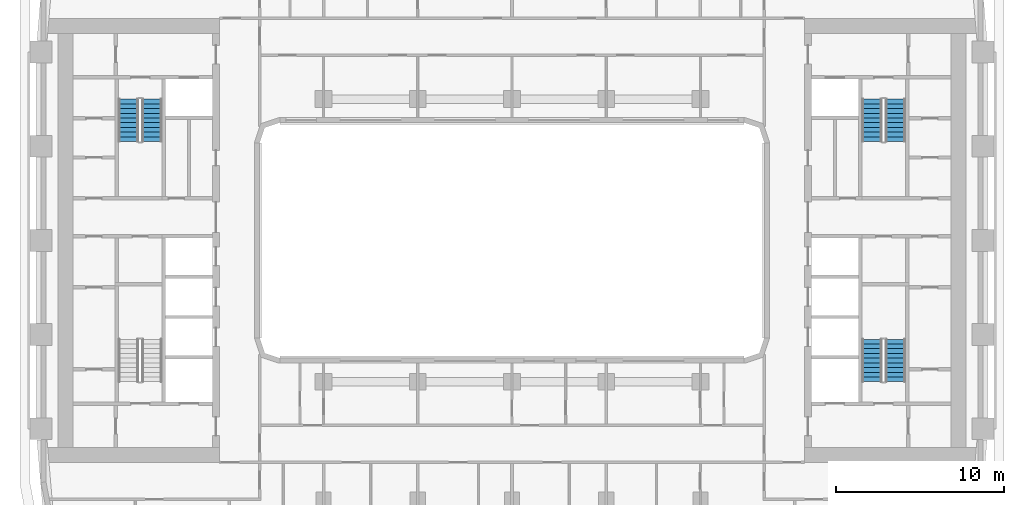
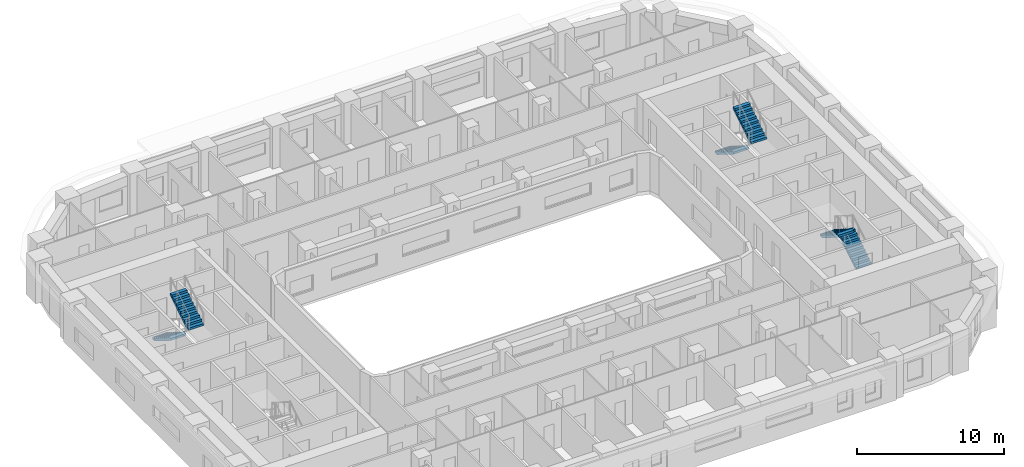
# One storey, part 11 of 22: 6 stair flights, 3 elements without a shape of their own.
"""IFC4 building model written with IfcOpenShell, lengths in metres."""

import ifcopenshell
import ifcopenshell.guid

model = None  # the IFC model being written
_history = None  # IfcOwnerHistory: only IFC2X3 demands one
_inside = {}  # id of a spatial element -> (the spatial element, [elements in it])
_under = {}  # id of a project, library or spatial element -> (it, [spatial elements below it])
_declared = {}  # id of a project -> (the project, [libraries it declares])
_typed = {}  # id of a type object -> (the type object, [elements of that type])
_made_of = {}  # id of a material, layer set ... -> (it, [elements and type objects made of it])


def new_model(schema):
    """Start an empty IFC model of exactly this schema.

    Asked for "IFC4X3", IfcOpenShell would pick the latest addendum, in which some entities
    have other attributes; the version numbers below select the first issue.
    IFC2X3 requires an IfcOwnerHistory on every rooted entity: one is made here for all.
    """
    global model, _history
    if schema == "IFC4X3":
        model = ifcopenshell.file(schema_version=(4, 3, 0, 0))
    else:
        model = ifcopenshell.file(schema=schema)
    _inside.clear()
    _under.clear()
    _declared.clear()
    _typed.clear()
    _made_of.clear()
    _history = None
    if model.schema == "IFC2X3":
        org = make("IfcOrganization", Name="unknown")
        user = make(
            "IfcPersonAndOrganization",
            ThePerson=make("IfcPerson", FamilyName="unknown"),
            TheOrganization=org,
        )
        app = make(
            "IfcApplication",
            ApplicationDeveloper=org,
            Version="unknown",
            ApplicationFullName="unknown",
            ApplicationIdentifier="unknown",
        )
        _history = make(
            "IfcOwnerHistory",
            OwningUser=user,
            OwningApplication=app,
            ChangeAction="ADDED",
            CreationDate=0,
        )
    return model


def make(cls, **values):
    """One entity of the class cls with the attributes given. An attribute that is None is left unset."""
    return model.create_entity(
        cls, **{name: value for name, value in values.items() if value is not None}
    )


def rooted(cls, **values):
    """An entity with a GlobalId (a new one), such as an element, a storey or a relation."""
    return make(cls, GlobalId=ifcopenshell.guid.new(), OwnerHistory=_history, **values)


def si_unit(unit_type, name, prefix=None):
    """IfcSIUnit, for example si_unit("LENGTHUNIT", "METRE", prefix="MILLI")."""
    return make("IfcSIUnit", UnitType=unit_type, Prefix=prefix, Name=name)


def assignment(units):
    """IfcUnitAssignment: the units of a project."""
    return None if units is None else make("IfcUnitAssignment", Units=units)


def point(xyz):
    """IfcCartesianPoint."""
    return None if xyz is None else make("IfcCartesianPoint", Coordinates=xyz)


def direction(xyz):
    """IfcDirection."""
    return None if xyz is None else make("IfcDirection", DirectionRatios=xyz)


def frame(location, z_axis=None, x_axis=None):
    """IfcAxis2Placement3D, a coordinate frame: its origin and axes. An axis left out is left unset."""
    return make(
        "IfcAxis2Placement3D",
        Location=point(location),
        Axis=direction(z_axis),
        RefDirection=direction(x_axis),
    )


def origin():
    """The frame at (0, 0, 0) with its axes left unset."""
    return frame((0.0, 0.0, 0.0))


def place(relative_to, where):
    """IfcLocalPlacement: puts the frame where relative to a parent placement (None: the world)."""
    return make(
        "IfcLocalPlacement", PlacementRelTo=relative_to, RelativePlacement=where
    )


def context(
    kind, dimensions, precision=None, world=None, true_north=None, identifier=None
):
    """IfcGeometricRepresentationContext, for example the 3D "Model" context."""
    return make(
        "IfcGeometricRepresentationContext",
        ContextIdentifier=identifier,
        ContextType=kind,
        CoordinateSpaceDimension=dimensions,
        Precision=precision,
        WorldCoordinateSystem=world,
        TrueNorth=true_north,
    )


def subcontext(parent, identifier, kind, view, scale=None):
    """IfcGeometricRepresentationSubContext, for example "Body" below "Model"."""
    return make(
        "IfcGeometricRepresentationSubContext",
        ContextIdentifier=identifier,
        ContextType=kind,
        ParentContext=parent,
        TargetScale=scale,
        TargetView=view,
    )


def project(units=None, contexts=None):
    """IfcProject with its units and contexts."""
    return rooted(
        "IfcProject",
        Name="project",
        RepresentationContexts=contexts,
        UnitsInContext=assignment(units),
    )


def spatial(cls, under=None, at=None, **own):
    """A site, building, storey or space (cls), placed at a placement, below another one or the project."""
    s = rooted(cls, ObjectPlacement=at, **own)
    if under is not None:
        _under.setdefault(under.id(), (under, []))[1].append(s)
    return s


def polyline(points):
    """IfcPolyline through the points."""
    return make("IfcPolyline", Points=[point(p) for p in points])


def outline(outer, holes=None, kind="AREA"):
    """IfcArbitraryClosedProfileDef: a profile drawn as a closed curve; with holes, ...WithVoids."""
    if holes is None:
        return make("IfcArbitraryClosedProfileDef", ProfileType=kind, OuterCurve=outer)
    return make(
        "IfcArbitraryProfileDefWithVoids",
        ProfileType=kind,
        OuterCurve=outer,
        InnerCurves=holes,
    )


def extrude(swept, where, along, depth):
    """IfcExtrudedAreaSolid: the profile swept, set in the frame where, extruded along a direction by depth."""
    return make(
        "IfcExtrudedAreaSolid",
        SweptArea=swept,
        Position=where,
        ExtrudedDirection=direction(along),
        Depth=depth,
    )


def shape(context_of_items, identifier, shape_type, items):
    """IfcShapeRepresentation: the items that make up one representation, for example the "Body"."""
    return make(
        "IfcShapeRepresentation",
        ContextOfItems=context_of_items,
        RepresentationIdentifier=identifier,
        RepresentationType=shape_type,
        Items=items,
    )


def material(Name=None, Category=None):
    """IfcMaterial."""
    return make("IfcMaterial", Name=Name, Category=Category)


def made_of(thing, what):
    """Note that an element or type object is made of a material, layer set ...; save() writes the relation."""
    if what is not None:
        _made_of.setdefault(what.id(), (what, []))[1].append(thing)
    return thing


def type_object(cls, material=None, **own):
    """A type object (cls), such as IfcWallType, which elements share."""
    return made_of(rooted(cls, **own), material)


def element(
    cls,
    number,
    at=None,
    inside=None,
    cuts=None,
    type_object=None,
    material=None,
    context=None,
    identifier="Body",
    shape_type=None,
    held_by="IfcProductDefinitionShape",
    body=None,
    shapes=None,
    **own,
):
    """One element of the class cls, such as IfcWall. Its Tag is "e" and its number.

    at: its placement. inside: the storey or other place that contains it. cuts: it is an
    opening in that element (IfcRelVoidsElement). A single representation is given by context,
    identifier, shape_type and body (its items); several are given by shapes. held_by: the class
    of the entity that holds the representations. save() writes the other relations.
    """
    e = rooted(cls, Tag="e%d" % number, ObjectPlacement=at, **own)
    if body is not None:
        shapes = [shape(context, identifier, shape_type, body)]
    if shapes is not None:
        e.Representation = make(held_by, Representations=shapes)
    if inside is not None:
        _inside.setdefault(inside.id(), (inside, []))[1].append(e)
    if cuts is not None:
        rooted(
            "IfcRelVoidsElement", RelatingBuildingElement=cuts, RelatedOpeningElement=e
        )
    if type_object is not None:
        _typed.setdefault(type_object.id(), (type_object, []))[1].append(e)
    return made_of(e, material)


def aggregate(whole, parts):
    """IfcRelAggregates: a whole, such as a stair, and the parts it consists of."""
    return rooted("IfcRelAggregates", RelatingObject=whole, RelatedObjects=parts)


def save(model, path):
    """Write the relations noted so far, then the file.

    IfcRelAggregates (storeys below a building ...), IfcRelContainedInSpatialStructure (elements
    in a storey), IfcRelDefinesByType, IfcRelAssociatesMaterial and IfcRelDeclares: one each for
    every whole, place, type object, material and project.
    """
    for whole, parts in _under.values():
        aggregate(whole, parts)
    for where, things in _inside.values():
        rooted(
            "IfcRelContainedInSpatialStructure",
            RelatedElements=things,
            RelatingStructure=where,
        )
    for kind, things in _typed.values():
        rooted("IfcRelDefinesByType", RelatedObjects=things, RelatingType=kind)
    for what, things in _made_of.values():
        rooted("IfcRelAssociatesMaterial", RelatedObjects=things, RelatingMaterial=what)
    for by, libraries in _declared.values():
        rooted("IfcRelDeclares", RelatingContext=by, RelatedDefinitions=libraries)
    model.write(path)


model = new_model("IFC4")

# Units and contexts
model_context = context("Model", 3, precision=1e-05, world=origin(), true_north=direction((0.0, 1.0)))
body_context = subcontext(model_context, "Body", "Model", "MODEL_VIEW")
ifc_project = project(units=[si_unit("LENGTHUNIT", "METRE"), si_unit("AREAUNIT", "SQUARE_METRE"), si_unit("VOLUMEUNIT", "CUBIC_METRE"), si_unit("PLANEANGLEUNIT", "RADIAN"), si_unit("MASSUNIT", "GRAM", prefix="KILO")], contexts=[model_context])

# Site, building, storey
site_placement = place(None, origin())
site = spatial("IfcSite", under=ifc_project, at=site_placement, CompositionType="ELEMENT")
building_placement = place(site_placement, origin())
building = spatial("IfcBuilding", under=site, at=building_placement, Name="Kiln Ring Residences", CompositionType="ELEMENT")
storey_placement = place(building_placement, frame((0.0, 0.0, 90.300048828125)))
storey = spatial("IfcBuildingStorey", under=building, at=storey_placement, Name="L22", CompositionType="ELEMENT", Elevation=90.300048828125)

# Stair, stair flights
ifc_material_1 = material(Name="Concrete C40/50", Category="concrete")
stair_type = type_object("IfcStairType", Name="CORE-STAIR", PredefinedType="HALF_TURN_STAIR", material=ifc_material_1)
placement = place(storey_placement, origin())
stair_1 = element("IfcStair", 1, at=placement, inside=storey, type_object=stair_type, Name="L22 stair W-STN", PredefinedType="HALF_TURN_STAIR")
ifc_material_2 = material(Name="Concrete C40/50", Category="concrete")
stair_flight_type = type_object("IfcStairFlightType", Name="CORE-STAIR-FLIGHT", PredefinedType="STRAIGHT", material=ifc_material_2)
stair_flight_1_placement = place(storey_placement, frame((-22.800048828125, 8.39990234375, 0.0), z_axis=(0.0, 0.0, 1.0), x_axis=(0.0, -1.0, 0.0)))
stair_flight_1 = element("IfcStairFlight", 2, at=stair_flight_1_placement, type_object=stair_flight_type, Name="W-STN flight 1", NumberOfRisers=10, NumberOfTreads=9, PredefinedType="STRAIGHT", RiserHeight=0.175, TreadLength=0.28, context=body_context, shape_type="SweptSolid", body=[
    extrude(outline(polyline([(0.0, 0.0), (0.0, 0.175048828125), (0.280029296875, 0.175048828125), (0.280029296875, 0.35009765625), (0.56005859375, 0.35009765625), (0.56005859375, 0.52490234375), (0.840087890625, 0.52490234375), (0.840087890625, 0.699951171875), (1.1201171875, 0.699951171875), (1.1201171875, 0.875), (1.39990234375, 0.875), (1.39990234375, 1.050048828125), (1.679931640625, 1.050048828125), (1.679931640625, 1.22509765625), (1.9599609375, 1.22509765625), (1.9599609375, 1.39990234375), (2.239990234375, 1.39990234375), (2.239990234375, 1.574951171875), (2.52001953125, 1.574951171875), (2.52001953125, 1.75), (2.52001953125, 1.398193359375), (0.28271484375, 0.0), (0.0, 0.0)])), frame((0.0, 0.60009765625, 0.0), z_axis=(0.0, -1.0, 0.0), x_axis=(1.0, 0.0, 0.0)), (0.0, 0.0, 1.0), 1.199951171875),
])
stair_flight_2_placement = place(storey_placement, frame((-21.39990234375, 5.8798828125, 1.75), z_axis=(0.0, 0.0, 1.0), x_axis=(0.0, 1.0, 0.0)))
stair_flight_2 = element("IfcStairFlight", 3, at=stair_flight_2_placement, type_object=stair_flight_type, Name="W-STN flight 2", NumberOfRisers=10, NumberOfTreads=9, PredefinedType="STRAIGHT", RiserHeight=0.175, TreadLength=0.28, context=body_context, shape_type="SweptSolid", body=[
    extrude(outline(polyline([(0.0, 0.0), (0.0, 0.175048828125), (0.280029296875, 0.175048828125), (0.280029296875, 0.35009765625), (0.56005859375, 0.35009765625), (0.56005859375, 0.52490234375), (0.840087890625, 0.52490234375), (0.840087890625, 0.699951171875), (1.1201171875, 0.699951171875), (1.1201171875, 0.875), (1.39990234375, 0.875), (1.39990234375, 1.050048828125), (1.679931640625, 1.050048828125), (1.679931640625, 1.22509765625), (1.9599609375, 1.22509765625), (1.9599609375, 1.39990234375), (2.239990234375, 1.39990234375), (2.239990234375, 1.574951171875), (2.52001953125, 1.574951171875), (2.52001953125, 1.75), (2.52001953125, 1.398193359375), (0.28271484375, 0.0), (0.0, 0.0)])), frame((0.0, 0.60009765625, 0.0), z_axis=(0.0, -1.0, 0.0), x_axis=(1.0, 0.0, 0.0)), (0.0, 0.0, 1.0), 1.199951171875),
])
aggregate(stair_1, [stair_flight_1, stair_flight_2])

stair_2 = element("IfcStair", 4, at=placement, inside=storey, type_object=stair_type, Name="L22 stair E-STN", PredefinedType="HALF_TURN_STAIR")
stair_flight_3_placement = place(storey_placement, frame((21.39990234375, 8.39990234375, 0.0), z_axis=(0.0, 0.0, 1.0), x_axis=(0.0, -1.0, 0.0)))
stair_flight_3 = element("IfcStairFlight", 5, at=stair_flight_3_placement, type_object=stair_flight_type, Name="E-STN flight 1", NumberOfRisers=10, NumberOfTreads=9, PredefinedType="STRAIGHT", RiserHeight=0.175, TreadLength=0.28, context=body_context, shape_type="SweptSolid", body=[
    extrude(outline(polyline([(0.0, 0.0), (0.0, 0.175048828125), (0.280029296875, 0.175048828125), (0.280029296875, 0.35009765625), (0.56005859375, 0.35009765625), (0.56005859375, 0.52490234375), (0.840087890625, 0.52490234375), (0.840087890625, 0.699951171875), (1.1201171875, 0.699951171875), (1.1201171875, 0.875), (1.39990234375, 0.875), (1.39990234375, 1.050048828125), (1.679931640625, 1.050048828125), (1.679931640625, 1.22509765625), (1.9599609375, 1.22509765625), (1.9599609375, 1.39990234375), (2.239990234375, 1.39990234375), (2.239990234375, 1.574951171875), (2.52001953125, 1.574951171875), (2.52001953125, 1.75), (2.52001953125, 1.398193359375), (0.28271484375, 0.0), (0.0, 0.0)])), frame((0.0, 0.60009765625, 0.0), z_axis=(0.0, -1.0, 0.0), x_axis=(1.0, 0.0, 0.0)), (0.0, 0.0, 1.0), 1.199951171875),
])
stair_flight_4_placement = place(storey_placement, frame((22.800048828125, 5.8798828125, 1.75), z_axis=(0.0, 0.0, 1.0), x_axis=(0.0, 1.0, 0.0)))
stair_flight_4 = element("IfcStairFlight", 6, at=stair_flight_4_placement, type_object=stair_flight_type, Name="E-STN flight 2", NumberOfRisers=10, NumberOfTreads=9, PredefinedType="STRAIGHT", RiserHeight=0.175, TreadLength=0.28, context=body_context, shape_type="SweptSolid", body=[
    extrude(outline(polyline([(0.0, 0.0), (0.0, 0.175048828125), (0.280029296875, 0.175048828125), (0.280029296875, 0.35009765625), (0.56005859375, 0.35009765625), (0.56005859375, 0.52490234375), (0.840087890625, 0.52490234375), (0.840087890625, 0.699951171875), (1.1201171875, 0.699951171875), (1.1201171875, 0.875), (1.39990234375, 0.875), (1.39990234375, 1.050048828125), (1.679931640625, 1.050048828125), (1.679931640625, 1.22509765625), (1.9599609375, 1.22509765625), (1.9599609375, 1.39990234375), (2.239990234375, 1.39990234375), (2.239990234375, 1.574951171875), (2.52001953125, 1.574951171875), (2.52001953125, 1.75), (2.52001953125, 1.398193359375), (0.28271484375, 0.0), (0.0, 0.0)])), frame((0.0, 0.60009765625, 0.0), z_axis=(0.0, -1.0, 0.0), x_axis=(1.0, 0.0, 0.0)), (0.0, 0.0, 1.0), 1.199951171875),
])
aggregate(stair_2, [stair_flight_3, stair_flight_4])

stair_3 = element("IfcStair", 7, at=placement, inside=storey, type_object=stair_type, Name="L22 stair E-STS", PredefinedType="HALF_TURN_STAIR")
stair_flight_5_placement = place(storey_placement, frame((22.800048828125, -8.39990234375, 0.0), z_axis=(0.0, 0.0, 1.0), x_axis=(0.0, 1.0, 0.0)))
stair_flight_5 = element("IfcStairFlight", 8, at=stair_flight_5_placement, type_object=stair_flight_type, Name="E-STS flight 1", NumberOfRisers=10, NumberOfTreads=9, PredefinedType="STRAIGHT", RiserHeight=0.175, TreadLength=0.28, context=body_context, shape_type="SweptSolid", body=[
    extrude(outline(polyline([(0.0, 0.0), (0.0, 0.175048828125), (0.280029296875, 0.175048828125), (0.280029296875, 0.35009765625), (0.56005859375, 0.35009765625), (0.56005859375, 0.52490234375), (0.840087890625, 0.52490234375), (0.840087890625, 0.699951171875), (1.1201171875, 0.699951171875), (1.1201171875, 0.875), (1.39990234375, 0.875), (1.39990234375, 1.050048828125), (1.679931640625, 1.050048828125), (1.679931640625, 1.22509765625), (1.9599609375, 1.22509765625), (1.9599609375, 1.39990234375), (2.239990234375, 1.39990234375), (2.239990234375, 1.574951171875), (2.52001953125, 1.574951171875), (2.52001953125, 1.75), (2.52001953125, 1.398193359375), (0.28271484375, 0.0), (0.0, 0.0)])), frame((0.0, 0.60009765625, 0.0), z_axis=(0.0, -1.0, 0.0), x_axis=(1.0, 0.0, 0.0)), (0.0, 0.0, 1.0), 1.199951171875),
])
stair_flight_6_placement = place(storey_placement, frame((21.39990234375, -5.8798828125, 1.75), z_axis=(0.0, 0.0, 1.0), x_axis=(0.0, -1.0, 0.0)))
stair_flight_6 = element("IfcStairFlight", 9, at=stair_flight_6_placement, type_object=stair_flight_type, Name="E-STS flight 2", NumberOfRisers=10, NumberOfTreads=9, PredefinedType="STRAIGHT", RiserHeight=0.175, TreadLength=0.28, context=body_context, shape_type="SweptSolid", body=[
    extrude(outline(polyline([(0.0, 0.0), (0.0, 0.175048828125), (0.280029296875, 0.175048828125), (0.280029296875, 0.35009765625), (0.56005859375, 0.35009765625), (0.56005859375, 0.52490234375), (0.840087890625, 0.52490234375), (0.840087890625, 0.699951171875), (1.1201171875, 0.699951171875), (1.1201171875, 0.875), (1.39990234375, 0.875), (1.39990234375, 1.050048828125), (1.679931640625, 1.050048828125), (1.679931640625, 1.22509765625), (1.9599609375, 1.22509765625), (1.9599609375, 1.39990234375), (2.239990234375, 1.39990234375), (2.239990234375, 1.574951171875), (2.52001953125, 1.574951171875), (2.52001953125, 1.75), (2.52001953125, 1.398193359375), (0.28271484375, 0.0), (0.0, 0.0)])), frame((0.0, 0.60009765625, 0.0), z_axis=(0.0, -1.0, 0.0), x_axis=(1.0, 0.0, 0.0)), (0.0, 0.0, 1.0), 1.199951171875),
])
aggregate(stair_3, [stair_flight_5, stair_flight_6])

save(model, "model.ifc")
